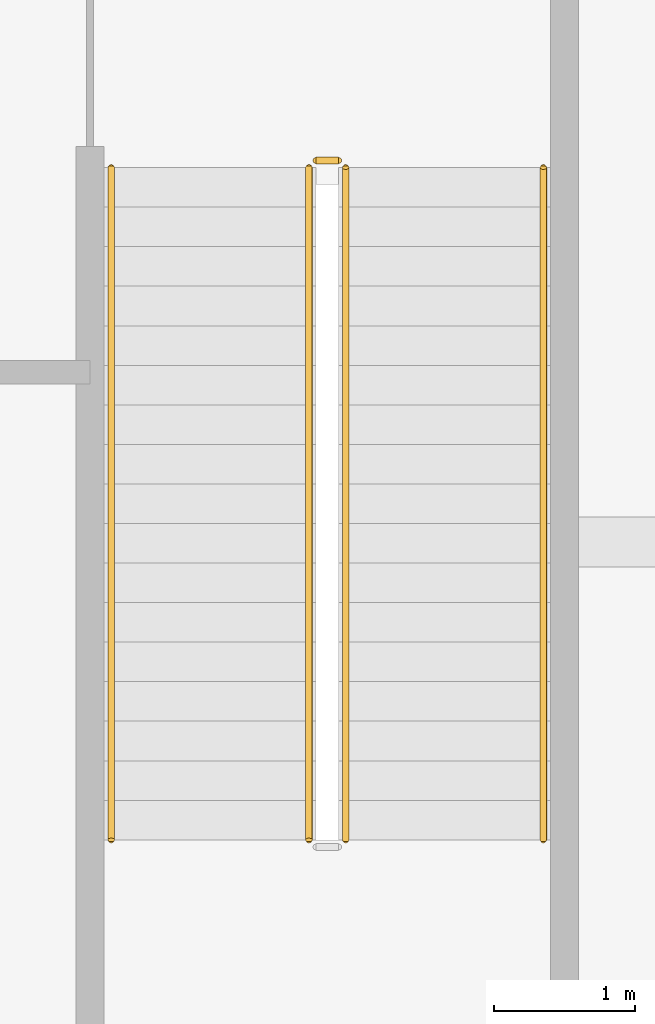
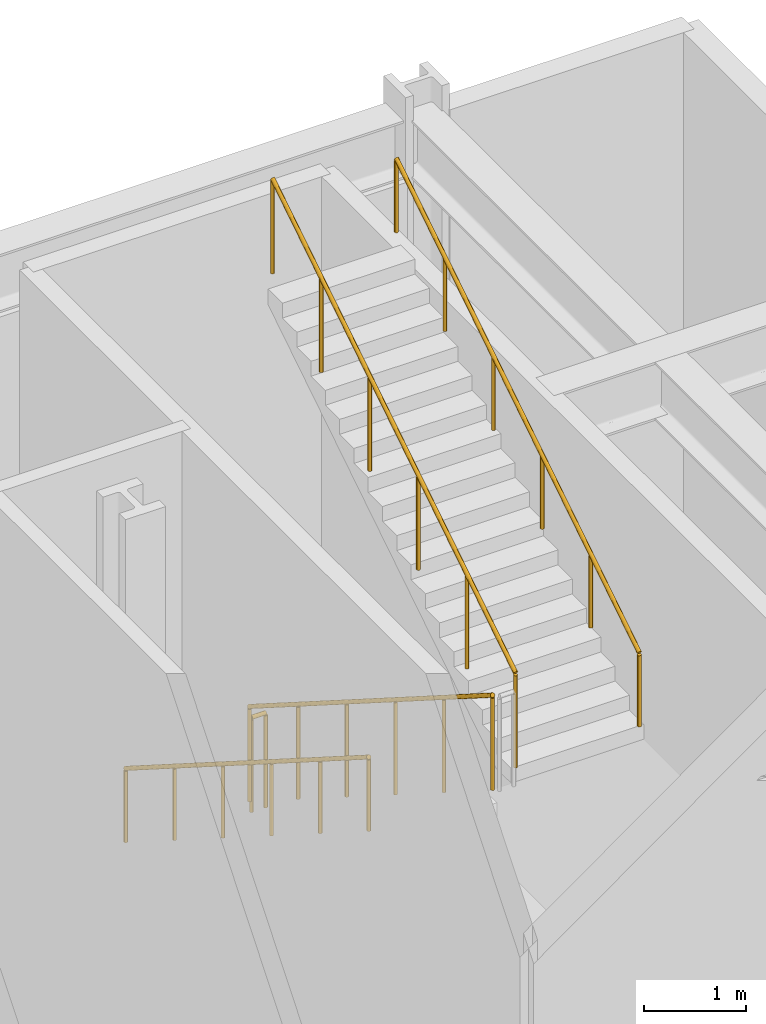
# One storey, part 20 of 20: 5 railings.
"""IFC4 building model written with IfcOpenShell, lengths in metres."""

from ifc_helpers import new_model, si_unit, direction, frame, origin, origin_2d, place, context, subcontext, project, spatial, circle, extrude, material, type_object, element, save


model = new_model("IFC4")

# Units and contexts
model_context = context("Model", 3, precision=1e-05, world=origin(), true_north=direction((0.0, 1.0)))
body_context = subcontext(model_context, "Body", "Model", "MODEL_VIEW")
ifc_project = project(units=[si_unit("LENGTHUNIT", "METRE"), si_unit("AREAUNIT", "SQUARE_METRE"), si_unit("VOLUMEUNIT", "CUBIC_METRE"), si_unit("PLANEANGLEUNIT", "RADIAN"), si_unit("MASSUNIT", "GRAM", prefix="KILO")], contexts=[model_context])

# Site, building, storey
site_placement = place(None, origin())
site = spatial("IfcSite", under=ifc_project, at=site_placement, CompositionType="ELEMENT")
building_placement = place(site_placement, origin())
building = spatial("IfcBuilding", under=site, at=building_placement, Name="Drelvath Grand Hotel", CompositionType="ELEMENT")
storey_placement = place(building_placement, frame((0.0, 0.0, 10.800048828125)))
storey = spatial("IfcBuildingStorey", under=building, at=storey_placement, Name="L02", CompositionType="ELEMENT", Elevation=10.800048828125)

# Railings
ifc_material = material(Name="Painted Steel S275", Category="steel")
railing_type_1 = type_object("IfcRailingType", Name="Core Stair Wall Handrail 900", PredefinedType="HANDRAIL", material=ifc_material)
railing_1_placement = place(storey_placement, frame((28.469970703125, 51.85009765625, 0.177734375)))
element("IfcRailing", 1, at=railing_1_placement, inside=storey, type_object=railing_type_1, Name="L02 ST-4 stair handrail 1", PredefinedType="HANDRAIL", context=body_context, shape_type="SweptSolid", body=[
    extrude(circle(Radius=0.02392578125, at=origin_2d()), frame((0.0, 0.0, 0.8759765625), z_axis=(0.0, -0.844213748262, 0.536006667166), x_axis=(1.0, 0.0, 0.0)), (0.0, 0.0, 1.0), 5.638427734375),
    extrude(circle(Radius=0.02099609375, at=origin_2d()), origin(), (0.0, 0.0, 1.0), 0.851806640625),
    extrude(circle(Radius=0.02099609375, at=origin_2d()), frame((0.0, -0.951904296875, 0.6044921875)), (0.0, 0.0, 1.0), 0.851806640625),
    extrude(circle(Radius=0.02099609375, at=origin_2d()), frame((0.0, -1.904052734375, 1.208984375)), (0.0, 0.0, 1.0), 0.851806640625),
    extrude(circle(Radius=0.02099609375, at=origin_2d()), frame((0.0, -2.85595703125, 1.813232421875)), (0.0, 0.0, 1.0), 0.851806640625),
    extrude(circle(Radius=0.02099609375, at=origin_2d()), frame((0.0, -3.80810546875, 2.417724609375)), (0.0, 0.0, 1.0), 0.851806640625),
    extrude(circle(Radius=0.02099609375, at=origin_2d()), frame((0.0, -4.760009765625, 3.022216796875)), (0.0, 0.0, 1.0), 0.851806640625),
])
railing_2_placement = place(storey_placement, frame((31.530029296875, 47.090087890625, 3.377685546875)))
element("IfcRailing", 2, at=railing_2_placement, inside=storey, type_object=railing_type_1, Name="L02 ST-4 stair handrail 2", PredefinedType="HANDRAIL", context=body_context, shape_type="SweptSolid", body=[
    extrude(circle(Radius=0.02392578125, at=origin_2d()), frame((0.0, 0.0, 0.8759765625), z_axis=(0.0, 0.844213748262, 0.536006667166), x_axis=(-1.0, 0.0, 0.0)), (0.0, 0.0, 1.0), 5.638427734375),
    extrude(circle(Radius=0.02099609375, at=origin_2d()), origin(), (0.0, 0.0, 1.0), 0.851806640625),
    extrude(circle(Radius=0.02099609375, at=origin_2d()), frame((0.0, 0.951904296875, 0.6044921875)), (0.0, 0.0, 1.0), 0.851806640625),
    extrude(circle(Radius=0.02099609375, at=origin_2d()), frame((0.0, 1.904052734375, 1.208984375)), (0.0, 0.0, 1.0), 0.851806640625),
    extrude(circle(Radius=0.02099609375, at=origin_2d()), frame((0.0, 2.85595703125, 1.813232421875)), (0.0, 0.0, 1.0), 0.851806640625),
    extrude(circle(Radius=0.02099609375, at=origin_2d()), frame((0.0, 3.80810546875, 2.417724609375)), (0.0, 0.0, 1.0), 0.851806640625),
    extrude(circle(Radius=0.02099609375, at=origin_2d()), frame((0.0, 4.760009765625, 3.022216796875)), (0.0, 0.0, 1.0), 0.851806640625),
])
railing_type_2 = type_object("IfcRailingType", Name="Core Stair Well Guardrail 1100", PredefinedType="GUARDRAIL", material=ifc_material)
railing_3_placement = place(storey_placement, frame((29.8701171875, 51.85009765625, 0.177734375)))
element("IfcRailing", 3, at=railing_3_placement, inside=storey, type_object=railing_type_2, Name="L02 ST-4 stair guard 1", PredefinedType="GUARDRAIL", context=body_context, shape_type="SweptSolid", body=[
    extrude(circle(Radius=0.02392578125, at=origin_2d()), frame((0.0, 0.0, 1.1259765625), z_axis=(0.0, -0.844213748262, 0.536006667166), x_axis=(1.0, 0.0, 0.0)), (0.0, 0.0, 1.0), 5.638427734375),
    extrude(circle(Radius=0.02099609375, at=origin_2d()), origin(), (0.0, 0.0, 1.0), 1.101806640625),
    extrude(circle(Radius=0.02099609375, at=origin_2d()), frame((0.0, -0.951904296875, 0.6044921875)), (0.0, 0.0, 1.0), 1.101806640625),
    extrude(circle(Radius=0.02099609375, at=origin_2d()), frame((0.0, -1.904052734375, 1.208984375)), (0.0, 0.0, 1.0), 1.101806640625),
    extrude(circle(Radius=0.02099609375, at=origin_2d()), frame((0.0, -2.85595703125, 1.813232421875)), (0.0, 0.0, 1.0), 1.101806640625),
    extrude(circle(Radius=0.02099609375, at=origin_2d()), frame((0.0, -3.80810546875, 2.417724609375)), (0.0, 0.0, 1.0), 1.101806640625),
    extrude(circle(Radius=0.02099609375, at=origin_2d()), frame((0.0, -4.760009765625, 3.022216796875)), (0.0, 0.0, 1.0), 1.101806640625),
])
railing_4_placement = place(storey_placement, frame((30.1298828125, 47.090087890625, 3.377685546875)))
element("IfcRailing", 4, at=railing_4_placement, inside=storey, type_object=railing_type_2, Name="L02 ST-4 stair guard 3", PredefinedType="GUARDRAIL", context=body_context, shape_type="SweptSolid", body=[
    extrude(circle(Radius=0.02392578125, at=origin_2d()), frame((0.0, 0.0, 1.1259765625), z_axis=(0.0, 0.844213748262, 0.536006667166), x_axis=(-1.0, 0.0, 0.0)), (0.0, 0.0, 1.0), 5.638427734375),
    extrude(circle(Radius=0.02099609375, at=origin_2d()), origin(), (0.0, 0.0, 1.0), 1.101806640625),
    extrude(circle(Radius=0.02099609375, at=origin_2d()), frame((0.0, 0.951904296875, 0.6044921875)), (0.0, 0.0, 1.0), 1.101806640625),
    extrude(circle(Radius=0.02099609375, at=origin_2d()), frame((0.0, 1.904052734375, 1.208984375)), (0.0, 0.0, 1.0), 1.101806640625),
    extrude(circle(Radius=0.02099609375, at=origin_2d()), frame((0.0, 2.85595703125, 1.813232421875)), (0.0, 0.0, 1.0), 1.101806640625),
    extrude(circle(Radius=0.02099609375, at=origin_2d()), frame((0.0, 3.80810546875, 2.417724609375)), (0.0, 0.0, 1.0), 1.101806640625),
    extrude(circle(Radius=0.02099609375, at=origin_2d()), frame((0.0, 4.760009765625, 3.022216796875)), (0.0, 0.0, 1.0), 1.101806640625),
])
railing_5_placement = place(storey_placement, frame((29.919921875, 51.89990234375, 0.0)))
element("IfcRailing", 5, at=railing_5_placement, inside=storey, type_object=railing_type_2, Name="L02 ST-4 stair guard 4", PredefinedType="GUARDRAIL", context=body_context, shape_type="SweptSolid", body=[
    extrude(circle(Radius=0.02392578125, at=origin_2d()), frame((0.0, 0.0, 1.1259765625), z_axis=(1.0, 0.0, 0.0), x_axis=(0.0, 1.0, 0.0)), (0.0, 0.0, 1.0), 0.16015625),
    extrude(circle(Radius=0.02099609375, at=origin_2d()), origin(), (0.0, 0.0, 1.0), 1.101806640625),
    extrude(circle(Radius=0.02099609375, at=origin_2d()), frame((0.16015625, 0.0, 0.0)), (0.0, 0.0, 1.0), 1.101806640625),
])

save(model, "model.ifc")
